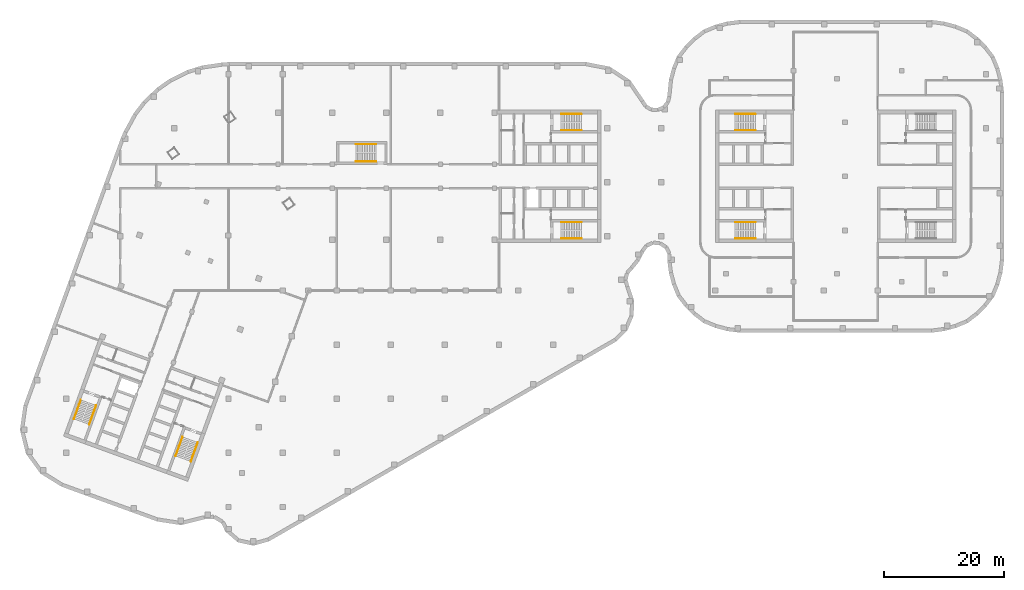
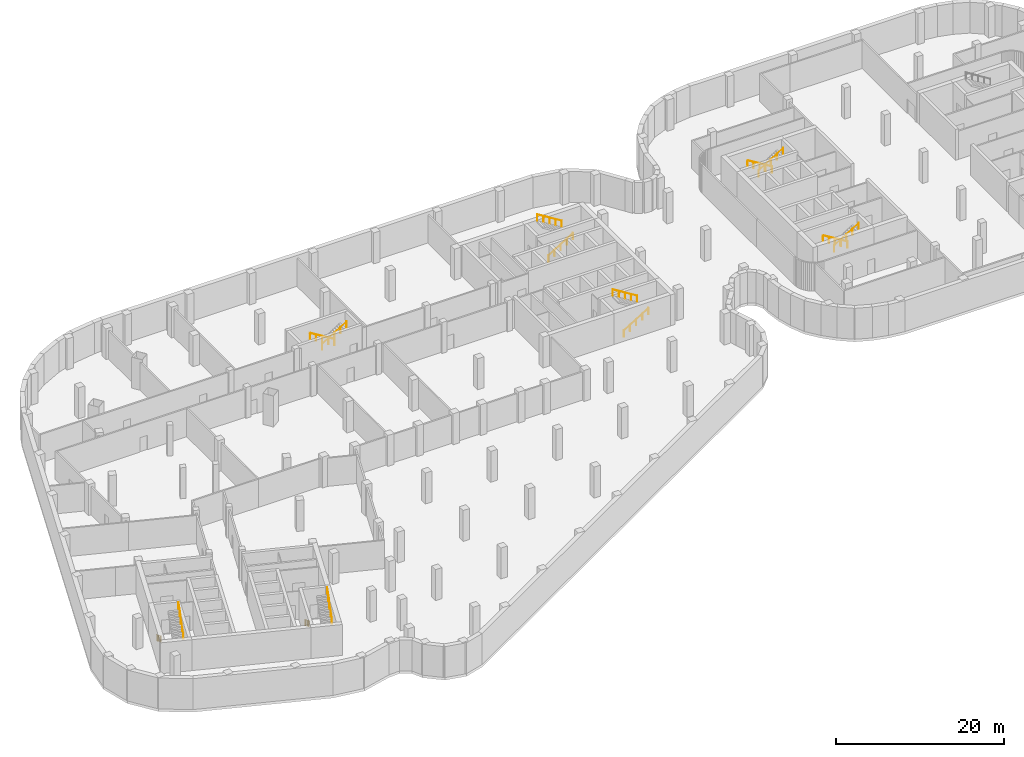
# One storey, part 15 of 16: 14 railings.
"""IFC4 building model written with IfcOpenShell, lengths in metres."""

from ifc_helpers import new_model, si_unit, direction, frame, origin, origin_2d, place, context, subcontext, project, spatial, circle, extrude, material, type_object, element, save


model = new_model("IFC4")

# Units and contexts
model_context = context("Model", 3, precision=1e-05, world=origin(), true_north=direction((0.0, 1.0)))
body_context = subcontext(model_context, "Body", "Model", "MODEL_VIEW")
ifc_project = project(units=[si_unit("LENGTHUNIT", "METRE"), si_unit("AREAUNIT", "SQUARE_METRE"), si_unit("VOLUMEUNIT", "CUBIC_METRE"), si_unit("PLANEANGLEUNIT", "RADIAN"), si_unit("MASSUNIT", "GRAM", prefix="KILO")], contexts=[model_context])

# Site, building, storey
site_placement = place(None, origin())
site = spatial("IfcSite", under=ifc_project, at=site_placement, CompositionType="ELEMENT")
building_placement = place(site_placement, origin())
building = spatial("IfcBuilding", under=site, at=building_placement, Name="Skarvind Civic Tower", CompositionType="ELEMENT")
storey_placement = place(building_placement, frame((0.0, 0.0, -4.5)))
storey = spatial("IfcBuildingStorey", under=building, at=storey_placement, Name="B1", CompositionType="ELEMENT", Elevation=-4.5)

# Railings
ifc_material = material(Name="Painted steel handrail", Category="steel")
railing_type = type_object("IfcRailingType", Name="Stair handrail 900", PredefinedType="HANDRAIL", material=ifc_material)
railing_1_placement = place(storey_placement, frame((101.35009765625, 135.64990234375, 0.173095703125)))
element("IfcRailing", 1, at=railing_1_placement, inside=storey, type_object=railing_type, Name="Stair handrail", PredefinedType="HANDRAIL", context=body_context, shape_type="SweptSolid", body=[
    extrude(circle(Radius=0.02392578125, at=origin_2d()), frame((0.0, 0.0, 0.8759765625), z_axis=(0.850606129759, 0.0, 0.525803396734), x_axis=(0.0, 1.0, 0.0)), (0.0, 0.0, 1.0), 3.949951171875),
    extrude(circle(Radius=0.02099609375, at=origin_2d()), origin(), (0.0, 0.0, 1.0), 0.851806640625),
    extrude(circle(Radius=0.02099609375, at=origin_2d()), frame((0.83984375, 0.0, 0.519287109375)), (0.0, 0.0, 1.0), 0.851806640625),
    extrude(circle(Radius=0.02099609375, at=origin_2d()), frame((1.679931640625, 0.0, 1.03857421875)), (0.0, 0.0, 1.0), 0.851806640625),
    extrude(circle(Radius=0.02099609375, at=origin_2d()), frame((2.52001953125, 0.0, 1.5576171875)), (0.0, 0.0, 1.0), 0.851806640625),
    extrude(circle(Radius=0.02099609375, at=origin_2d()), frame((3.35986328125, 0.0, 2.076904296875)), (0.0, 0.0, 1.0), 0.851806640625),
])
railing_2_placement = place(storey_placement, frame((104.7099609375, 138.35009765625, 2.423095703125)))
element("IfcRailing", 2, at=railing_2_placement, inside=storey, type_object=railing_type, Name="Stair handrail", PredefinedType="HANDRAIL", context=body_context, shape_type="SweptSolid", body=[
    extrude(circle(Radius=0.02392578125, at=origin_2d()), frame((0.0, 0.0, 0.8759765625), z_axis=(-0.850606129759, 0.0, 0.525803396734), x_axis=(0.0, -1.0, 0.0)), (0.0, 0.0, 1.0), 3.949951171875),
    extrude(circle(Radius=0.02099609375, at=origin_2d()), origin(), (0.0, 0.0, 1.0), 0.851806640625),
    extrude(circle(Radius=0.02099609375, at=origin_2d()), frame((-0.83984375, 0.0, 0.519287109375)), (0.0, 0.0, 1.0), 0.851806640625),
    extrude(circle(Radius=0.02099609375, at=origin_2d()), frame((-1.679931640625, 0.0, 1.03857421875)), (0.0, 0.0, 1.0), 0.851806640625),
    extrude(circle(Radius=0.02099609375, at=origin_2d()), frame((-2.52001953125, 0.0, 1.5576171875)), (0.0, 0.0, 1.0), 0.851806640625),
    extrude(circle(Radius=0.02099609375, at=origin_2d()), frame((-3.35986328125, 0.0, 2.076904296875)), (0.0, 0.0, 1.0), 0.851806640625),
])
railing_3_placement = place(storey_placement, frame((101.35009765625, 117.64990234375, 0.173095703125)))
element("IfcRailing", 3, at=railing_3_placement, inside=storey, type_object=railing_type, Name="Stair handrail", PredefinedType="HANDRAIL", context=body_context, shape_type="SweptSolid", body=[
    extrude(circle(Radius=0.02392578125, at=origin_2d()), frame((0.0, 0.0, 0.8759765625), z_axis=(0.850606129759, 0.0, 0.525803396734), x_axis=(0.0, 1.0, 0.0)), (0.0, 0.0, 1.0), 3.949951171875),
    extrude(circle(Radius=0.02099609375, at=origin_2d()), origin(), (0.0, 0.0, 1.0), 0.851806640625),
    extrude(circle(Radius=0.02099609375, at=origin_2d()), frame((0.83984375, 0.0, 0.519287109375)), (0.0, 0.0, 1.0), 0.851806640625),
    extrude(circle(Radius=0.02099609375, at=origin_2d()), frame((1.679931640625, 0.0, 1.03857421875)), (0.0, 0.0, 1.0), 0.851806640625),
    extrude(circle(Radius=0.02099609375, at=origin_2d()), frame((2.52001953125, 0.0, 1.5576171875)), (0.0, 0.0, 1.0), 0.851806640625),
    extrude(circle(Radius=0.02099609375, at=origin_2d()), frame((3.35986328125, 0.0, 2.076904296875)), (0.0, 0.0, 1.0), 0.851806640625),
])
railing_4_placement = place(storey_placement, frame((104.7099609375, 120.35009765625, 2.423095703125)))
element("IfcRailing", 4, at=railing_4_placement, inside=storey, type_object=railing_type, Name="Stair handrail", PredefinedType="HANDRAIL", context=body_context, shape_type="SweptSolid", body=[
    extrude(circle(Radius=0.02392578125, at=origin_2d()), frame((0.0, 0.0, 0.8759765625), z_axis=(-0.850606129759, 0.0, 0.525803396734), x_axis=(0.0, -1.0, 0.0)), (0.0, 0.0, 1.0), 3.949951171875),
    extrude(circle(Radius=0.02099609375, at=origin_2d()), origin(), (0.0, 0.0, 1.0), 0.851806640625),
    extrude(circle(Radius=0.02099609375, at=origin_2d()), frame((-0.83984375, 0.0, 0.519287109375)), (0.0, 0.0, 1.0), 0.851806640625),
    extrude(circle(Radius=0.02099609375, at=origin_2d()), frame((-1.679931640625, 0.0, 1.03857421875)), (0.0, 0.0, 1.0), 0.851806640625),
    extrude(circle(Radius=0.02099609375, at=origin_2d()), frame((-2.52001953125, 0.0, 1.5576171875)), (0.0, 0.0, 1.0), 0.851806640625),
    extrude(circle(Radius=0.02099609375, at=origin_2d()), frame((-3.35986328125, 0.0, 2.076904296875)), (0.0, 0.0, 1.0), 0.851806640625),
])
railing_5_placement = place(storey_placement, frame((38.362060546875, 84.64794921875, 0.173095703125)))
element("IfcRailing", 5, at=railing_5_placement, inside=storey, type_object=railing_type, Name="Stair handrail", PredefinedType="HANDRAIL", context=body_context, shape_type="SweptSolid", body=[
    extrude(circle(Radius=0.02392578125, at=origin_2d()), frame((0.0, 0.0, 0.8759765625), z_axis=(-0.290917494886, -0.799327801436, 0.525777592733), x_axis=(0.939697922535, -0.342005576538, 0.0)), (0.0, 0.0, 1.0), 3.9501953125),
    extrude(circle(Radius=0.02099609375, at=origin_2d()), origin(), (0.0, 0.0, 1.0), 0.851806640625),
    extrude(circle(Radius=0.02099609375, at=origin_2d()), frame((-0.287353515625, -0.789306640625, 0.519287109375)), (0.0, 0.0, 1.0), 0.851806640625),
    extrude(circle(Radius=0.02099609375, at=origin_2d()), frame((-0.57470703125, -1.57861328125, 1.03857421875)), (0.0, 0.0, 1.0), 0.851806640625),
    extrude(circle(Radius=0.02099609375, at=origin_2d()), frame((-0.86181640625, -2.3681640625, 1.5576171875)), (0.0, 0.0, 1.0), 0.851806640625),
    extrude(circle(Radius=0.02099609375, at=origin_2d()), frame((-1.149169921875, -3.157470703125, 2.076904296875)), (0.0, 0.0, 1.0), 0.851806640625),
])
railing_6_placement = place(storey_placement, frame((39.75, 80.567138671875, 2.423095703125)))
element("IfcRailing", 6, at=railing_6_placement, inside=storey, type_object=railing_type, Name="Stair handrail", PredefinedType="HANDRAIL", context=body_context, shape_type="SweptSolid", body=[
    extrude(circle(Radius=0.02392578125, at=origin_2d()), frame((0.0, 0.0, 0.8759765625), z_axis=(0.290931867501, 0.799305483434, 0.525803568479), x_axis=(-0.939689422908, 0.342028929294, 0.0)), (0.0, 0.0, 1.0), 3.949951171875),
    extrude(circle(Radius=0.02099609375, at=origin_2d()), origin(), (0.0, 0.0, 1.0), 0.851806640625),
    extrude(circle(Radius=0.02099609375, at=origin_2d()), frame((0.287353515625, 0.789306640625, 0.519287109375)), (0.0, 0.0, 1.0), 0.851806640625),
    extrude(circle(Radius=0.02099609375, at=origin_2d()), frame((0.57470703125, 1.57861328125, 1.03857421875)), (0.0, 0.0, 1.0), 0.851806640625),
    extrude(circle(Radius=0.02099609375, at=origin_2d()), frame((0.86181640625, 2.367919921875, 1.5576171875)), (0.0, 0.0, 1.0), 0.851806640625),
    extrude(circle(Radius=0.02099609375, at=origin_2d()), frame((1.149169921875, 3.1572265625, 2.076904296875)), (0.0, 0.0, 1.0), 0.851806640625),
])
railing_7_placement = place(storey_placement, frame((21.447509765625, 90.80419921875, 0.173095703125)))
element("IfcRailing", 7, at=railing_7_placement, inside=storey, type_object=railing_type, Name="Stair handrail", PredefinedType="HANDRAIL", context=body_context, shape_type="SweptSolid", body=[
    extrude(circle(Radius=0.02392578125, at=origin_2d()), frame((0.0, 0.0, 0.8759765625), z_axis=(-0.290931867501, -0.799305483434, 0.525803568479), x_axis=(0.939689422908, -0.342028929294, 0.0)), (0.0, 0.0, 1.0), 3.949951171875),
    extrude(circle(Radius=0.02099609375, at=origin_2d()), origin(), (0.0, 0.0, 1.0), 0.851806640625),
    extrude(circle(Radius=0.02099609375, at=origin_2d()), frame((-0.287353515625, -0.789306640625, 0.519287109375)), (0.0, 0.0, 1.0), 0.851806640625),
    extrude(circle(Radius=0.02099609375, at=origin_2d()), frame((-0.57470703125, -1.57861328125, 1.03857421875)), (0.0, 0.0, 1.0), 0.851806640625),
    extrude(circle(Radius=0.02099609375, at=origin_2d()), frame((-0.86181640625, -2.367919921875, 1.5576171875)), (0.0, 0.0, 1.0), 0.851806640625),
    extrude(circle(Radius=0.02099609375, at=origin_2d()), frame((-1.149169921875, -3.1572265625, 2.076904296875)), (0.0, 0.0, 1.0), 0.851806640625),
])
railing_8_placement = place(storey_placement, frame((22.835693359375, 86.723388671875, 2.423095703125)))
element("IfcRailing", 8, at=railing_8_placement, inside=storey, type_object=railing_type, Name="Stair handrail", PredefinedType="HANDRAIL", context=body_context, shape_type="SweptSolid", body=[
    extrude(circle(Radius=0.02392578125, at=origin_2d()), frame((0.0, 0.0, 0.8759765625), z_axis=(0.290917494886, 0.799327801436, 0.525777592733), x_axis=(-0.939697922535, 0.342005576538, 0.0)), (0.0, 0.0, 1.0), 3.9501953125),
    extrude(circle(Radius=0.02099609375, at=origin_2d()), origin(), (0.0, 0.0, 1.0), 0.851806640625),
    extrude(circle(Radius=0.02099609375, at=origin_2d()), frame((0.287353515625, 0.789306640625, 0.519287109375)), (0.0, 0.0, 1.0), 0.851806640625),
    extrude(circle(Radius=0.02099609375, at=origin_2d()), frame((0.57470703125, 1.57861328125, 1.03857421875)), (0.0, 0.0, 1.0), 0.851806640625),
    extrude(circle(Radius=0.02099609375, at=origin_2d()), frame((0.86181640625, 2.3681640625, 1.5576171875)), (0.0, 0.0, 1.0), 0.851806640625),
    extrude(circle(Radius=0.02099609375, at=origin_2d()), frame((1.149169921875, 3.157470703125, 2.076904296875)), (0.0, 0.0, 1.0), 0.851806640625),
])
railing_9_placement = place(storey_placement, frame((133.64990234375, 120.35009765625, 0.173095703125)))
element("IfcRailing", 9, at=railing_9_placement, inside=storey, type_object=railing_type, Name="Stair handrail", PredefinedType="HANDRAIL", context=body_context, shape_type="SweptSolid", body=[
    extrude(circle(Radius=0.02392578125, at=origin_2d()), frame((0.0, 0.0, 0.8759765625), z_axis=(-0.850606129759, 0.0, 0.525803396734), x_axis=(0.0, -1.0, 0.0)), (0.0, 0.0, 1.0), 3.949951171875),
    extrude(circle(Radius=0.02099609375, at=origin_2d()), origin(), (0.0, 0.0, 1.0), 0.851806640625),
    extrude(circle(Radius=0.02099609375, at=origin_2d()), frame((-0.83984375, 0.0, 0.519287109375)), (0.0, 0.0, 1.0), 0.851806640625),
    extrude(circle(Radius=0.02099609375, at=origin_2d()), frame((-1.679931640625, 0.0, 1.03857421875)), (0.0, 0.0, 1.0), 0.851806640625),
    extrude(circle(Radius=0.02099609375, at=origin_2d()), frame((-2.52001953125, 0.0, 1.5576171875)), (0.0, 0.0, 1.0), 0.851806640625),
    extrude(circle(Radius=0.02099609375, at=origin_2d()), frame((-3.35986328125, 0.0, 2.076904296875)), (0.0, 0.0, 1.0), 0.851806640625),
])
railing_10_placement = place(storey_placement, frame((130.2900390625, 117.64990234375, 2.423095703125)))
element("IfcRailing", 10, at=railing_10_placement, inside=storey, type_object=railing_type, Name="Stair handrail", PredefinedType="HANDRAIL", context=body_context, shape_type="SweptSolid", body=[
    extrude(circle(Radius=0.02392578125, at=origin_2d()), frame((0.0, 0.0, 0.8759765625), z_axis=(0.850606129759, 0.0, 0.525803396734), x_axis=(0.0, 1.0, 0.0)), (0.0, 0.0, 1.0), 3.949951171875),
    extrude(circle(Radius=0.02099609375, at=origin_2d()), origin(), (0.0, 0.0, 1.0), 0.851806640625),
    extrude(circle(Radius=0.02099609375, at=origin_2d()), frame((0.83984375, 0.0, 0.519287109375)), (0.0, 0.0, 1.0), 0.851806640625),
    extrude(circle(Radius=0.02099609375, at=origin_2d()), frame((1.679931640625, 0.0, 1.03857421875)), (0.0, 0.0, 1.0), 0.851806640625),
    extrude(circle(Radius=0.02099609375, at=origin_2d()), frame((2.52001953125, 0.0, 1.5576171875)), (0.0, 0.0, 1.0), 0.851806640625),
    extrude(circle(Radius=0.02099609375, at=origin_2d()), frame((3.35986328125, 0.0, 2.076904296875)), (0.0, 0.0, 1.0), 0.851806640625),
])
railing_11_placement = place(storey_placement, frame((133.64990234375, 138.35009765625, 0.173095703125)))
element("IfcRailing", 11, at=railing_11_placement, inside=storey, type_object=railing_type, Name="Stair handrail", PredefinedType="HANDRAIL", context=body_context, shape_type="SweptSolid", body=[
    extrude(circle(Radius=0.02392578125, at=origin_2d()), frame((0.0, 0.0, 0.8759765625), z_axis=(-0.850606129759, 0.0, 0.525803396734), x_axis=(0.0, -1.0, 0.0)), (0.0, 0.0, 1.0), 3.949951171875),
    extrude(circle(Radius=0.02099609375, at=origin_2d()), origin(), (0.0, 0.0, 1.0), 0.851806640625),
    extrude(circle(Radius=0.02099609375, at=origin_2d()), frame((-0.83984375, 0.0, 0.519287109375)), (0.0, 0.0, 1.0), 0.851806640625),
    extrude(circle(Radius=0.02099609375, at=origin_2d()), frame((-1.679931640625, 0.0, 1.03857421875)), (0.0, 0.0, 1.0), 0.851806640625),
    extrude(circle(Radius=0.02099609375, at=origin_2d()), frame((-2.52001953125, 0.0, 1.5576171875)), (0.0, 0.0, 1.0), 0.851806640625),
    extrude(circle(Radius=0.02099609375, at=origin_2d()), frame((-3.35986328125, 0.0, 2.076904296875)), (0.0, 0.0, 1.0), 0.851806640625),
])
railing_12_placement = place(storey_placement, frame((130.2900390625, 135.64990234375, 2.423095703125)))
element("IfcRailing", 12, at=railing_12_placement, inside=storey, type_object=railing_type, Name="Stair handrail", PredefinedType="HANDRAIL", context=body_context, shape_type="SweptSolid", body=[
    extrude(circle(Radius=0.02392578125, at=origin_2d()), frame((0.0, 0.0, 0.8759765625), z_axis=(0.850606129759, 0.0, 0.525803396734), x_axis=(0.0, 1.0, 0.0)), (0.0, 0.0, 1.0), 3.949951171875),
    extrude(circle(Radius=0.02099609375, at=origin_2d()), origin(), (0.0, 0.0, 1.0), 0.851806640625),
    extrude(circle(Radius=0.02099609375, at=origin_2d()), frame((0.83984375, 0.0, 0.519287109375)), (0.0, 0.0, 1.0), 0.851806640625),
    extrude(circle(Radius=0.02099609375, at=origin_2d()), frame((1.679931640625, 0.0, 1.03857421875)), (0.0, 0.0, 1.0), 0.851806640625),
    extrude(circle(Radius=0.02099609375, at=origin_2d()), frame((2.52001953125, 0.0, 1.5576171875)), (0.0, 0.0, 1.0), 0.851806640625),
    extrude(circle(Radius=0.02099609375, at=origin_2d()), frame((3.35986328125, 0.0, 2.076904296875)), (0.0, 0.0, 1.0), 0.851806640625),
])
railing_13_placement = place(storey_placement, frame((70.550048828125, 133.35009765625, 0.173095703125)))
element("IfcRailing", 13, at=railing_13_placement, inside=storey, type_object=railing_type, Name="Stair handrail", PredefinedType="HANDRAIL", context=body_context, shape_type="SweptSolid", body=[
    extrude(circle(Radius=0.02392578125, at=origin_2d()), frame((0.0, 0.0, 0.8759765625), z_axis=(-0.850623216509, 0.0, 0.525775754039), x_axis=(0.0, -1.0, 0.0)), (0.0, 0.0, 1.0), 3.9501953125),
    extrude(circle(Radius=0.02099609375, at=origin_2d()), origin(), (0.0, 0.0, 1.0), 0.851806640625),
    extrude(circle(Radius=0.02099609375, at=origin_2d()), frame((-0.840087890625, 0.0, 0.519287109375)), (0.0, 0.0, 1.0), 0.851806640625),
    extrude(circle(Radius=0.02099609375, at=origin_2d()), frame((-1.68017578125, 0.0, 1.03857421875)), (0.0, 0.0, 1.0), 0.851806640625),
    extrude(circle(Radius=0.02099609375, at=origin_2d()), frame((-2.52001953125, 0.0, 1.5576171875)), (0.0, 0.0, 1.0), 0.851806640625),
    extrude(circle(Radius=0.02099609375, at=origin_2d()), frame((-3.360107421875, 0.0, 2.076904296875)), (0.0, 0.0, 1.0), 0.851806640625),
])
railing_14_placement = place(storey_placement, frame((67.18994140625, 130.449951171875, 2.423095703125)))
element("IfcRailing", 14, at=railing_14_placement, inside=storey, type_object=railing_type, Name="Stair handrail", PredefinedType="HANDRAIL", context=body_context, shape_type="SweptSolid", body=[
    extrude(circle(Radius=0.02392578125, at=origin_2d()), frame((0.0, 0.0, 0.8759765625), z_axis=(0.850623216509, 0.0, 0.525775754039), x_axis=(0.0, 1.0, 0.0)), (0.0, 0.0, 1.0), 3.9501953125),
    extrude(circle(Radius=0.02099609375, at=origin_2d()), origin(), (0.0, 0.0, 1.0), 0.851806640625),
    extrude(circle(Radius=0.02099609375, at=origin_2d()), frame((0.840087890625, 0.0, 0.519287109375)), (0.0, 0.0, 1.0), 0.851806640625),
    extrude(circle(Radius=0.02099609375, at=origin_2d()), frame((1.68017578125, 0.0, 1.03857421875)), (0.0, 0.0, 1.0), 0.851806640625),
    extrude(circle(Radius=0.02099609375, at=origin_2d()), frame((2.52001953125, 0.0, 1.5576171875)), (0.0, 0.0, 1.0), 0.851806640625),
    extrude(circle(Radius=0.02099609375, at=origin_2d()), frame((3.360107421875, 0.0, 2.076904296875)), (0.0, 0.0, 1.0), 0.851806640625),
])

save(model, "model.ifc")
